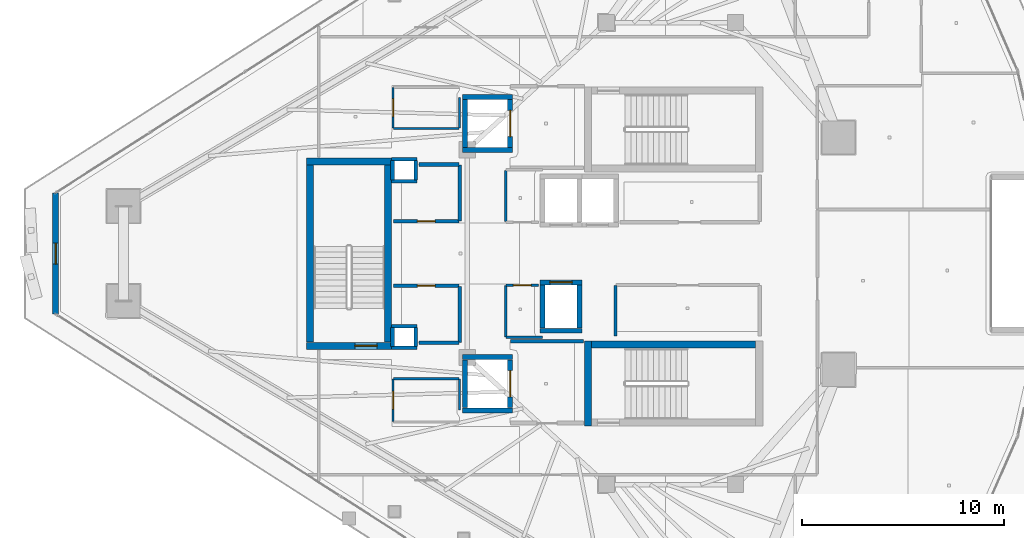
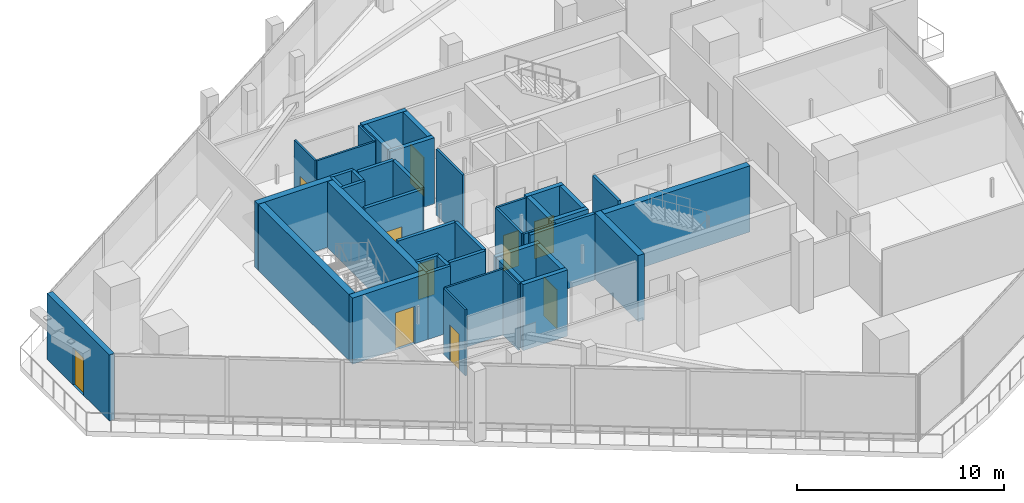
# One storey, part 25 of 34: 45 walls, 10 doors, 10 openings.
"""IFC4 building model written with IfcOpenShell, lengths in metres."""

from ifc_helpers import new_model, si_unit, direction, frame, frame_2d, origin, place, context, subcontext, project, spatial, rectangle, extrude, material, layer, layer_set, type_object, element, fill, save


model = new_model("IFC4")

# Units and contexts
model_context = context("Model", 3, precision=1e-05, world=origin(), true_north=direction((0.0, 1.0)))
body_context = subcontext(model_context, "Body", "Model", "MODEL_VIEW")
ifc_project = project(units=[si_unit("LENGTHUNIT", "METRE"), si_unit("AREAUNIT", "SQUARE_METRE"), si_unit("VOLUMEUNIT", "CUBIC_METRE"), si_unit("PLANEANGLEUNIT", "RADIAN"), si_unit("MASSUNIT", "GRAM", prefix="KILO")], contexts=[model_context])

# Site, building, storey
site_placement = place(None, origin())
site = spatial("IfcSite", under=ifc_project, at=site_placement, CompositionType="ELEMENT")
building_placement = place(site_placement, origin())
building = spatial("IfcBuilding", under=site, at=building_placement, Name="Qorvath Tower", CompositionType="ELEMENT")
storey_placement = place(building_placement, frame((0.0, 0.0, 276.60009765625)))
storey = spatial("IfcBuildingStorey", under=building, at=storey_placement, Name="L64", CompositionType="ELEMENT", Elevation=276.60009765625)

# Walls
ifc_material_1 = material(Name="Gypsum shaftliner on steel studs", Category="steel")
ifc_layer_1 = layer(ifc_material_1, 0.179931640625)
ifc_layer_set_1 = layer_set([ifc_layer_1], Name="FW-LOBBY")
wall_type_1 = type_object("IfcWallType", Name="FW-LOBBY", PredefinedType="PARTITIONING", material=ifc_layer_set_1)
for number, where, z_axis, x_axis, name in (
    (1, (-32.989990234375, 3.594970703125, 0.0), (0.0, 0.0, 1.0), (-1.0, 0.0, 0.0), "MEP Riser Shaft Enclosure Wall N-L64-S"),
    (2, (-34.260009765625, 4.675048828125, 0.0), (0.0, 0.0, 1.0), (1.0, 0.0, 0.0), "MEP Riser Shaft Enclosure Wall N-L64-N"),
):
    element("IfcWall", number, at=place(storey_placement, frame(where, z_axis=z_axis, x_axis=x_axis)), inside=storey, type_object=wall_type_1, Name=name, PredefinedType="PARTITIONING", context=body_context, shape_type="SweptSolid", body=[
        extrude(rectangle(XDim=1.27001953125, YDim=0.179931640625, at=frame_2d((0.635009765625, 0.0))), origin(), (0.0, 0.0, 1.0), 3.909912109375),
    ])
for number, where, z_axis, x_axis, name in (
    (3, (-34.205078125, 3.659912109375, 0.0), (0.0, 0.0, 1.0), (0.0, 1.0, 0.0), "MEP Riser Shaft Enclosure Wall N-L64-W"),
    (4, (-33.044921875, 4.610107421875, 0.0), (0.0, 0.0, 1.0), (0.0, -1.0, 0.0), "MEP Riser Shaft Enclosure Wall N-L64-E"),
):
    element("IfcWall", number, at=place(storey_placement, frame(where, z_axis=z_axis, x_axis=x_axis)), inside=storey, type_object=wall_type_1, Name=name, PredefinedType="PARTITIONING", context=body_context, shape_type="SweptSolid", body=[
        extrude(rectangle(XDim=0.9501953125, YDim=0.179931640625, at=frame_2d((0.47509765625, 0.0))), origin(), (0.0, 0.0, 1.0), 3.909912109375),
    ])
for number, where, z_axis, x_axis, name in (
    (5, (-32.989990234375, -4.675048828125, 0.0), (0.0, 0.0, 1.0), (-1.0, 0.0, 0.0), "MEP Riser Shaft Enclosure Wall S-L64-S"),
    (6, (-34.260009765625, -3.594970703125, 0.0), (0.0, 0.0, 1.0), (1.0, 0.0, 0.0), "MEP Riser Shaft Enclosure Wall S-L64-N"),
):
    element("IfcWall", number, at=place(storey_placement, frame(where, z_axis=z_axis, x_axis=x_axis)), inside=storey, type_object=wall_type_1, Name=name, PredefinedType="PARTITIONING", context=body_context, shape_type="SweptSolid", body=[
        extrude(rectangle(XDim=1.27001953125, YDim=0.179931640625, at=frame_2d((0.635009765625, 0.0))), origin(), (0.0, 0.0, 1.0), 3.909912109375),
    ])
for number, where, z_axis, x_axis, name in (
    (7, (-34.205078125, -4.610107421875, 0.0), (0.0, 0.0, 1.0), (0.0, 1.0, 0.0), "MEP Riser Shaft Enclosure Wall S-L64-W"),
    (8, (-33.044921875, -3.659912109375, 0.0), (0.0, 0.0, 1.0), (0.0, -1.0, 0.0), "MEP Riser Shaft Enclosure Wall S-L64-E"),
):
    element("IfcWall", number, at=place(storey_placement, frame(where, z_axis=z_axis, x_axis=x_axis)), inside=storey, type_object=wall_type_1, Name=name, PredefinedType="PARTITIONING", context=body_context, shape_type="SweptSolid", body=[
        extrude(rectangle(XDim=0.9501953125, YDim=0.179931640625, at=frame_2d((0.47509765625, 0.0))), origin(), (0.0, 0.0, 1.0), 3.909912109375),
    ])
wall_1_placement = place(storey_placement, frame((-24.73291015625, -4.35009765625, 0.0), z_axis=(0.0, 0.0, 1.0), x_axis=(-1.0, 0.0, 0.0)))
element("IfcWall", 9, at=wall_1_placement, inside=storey, type_object=wall_type_1, Name="Interior Partition IW-T1-L64-004", PredefinedType="PARTITIONING", context=body_context, shape_type="SweptSolid", body=[
    extrude(rectangle(XDim=3.6220703125, YDim=0.179931640625, at=frame_2d((1.81103515625, 0.0))), origin(), (0.0, 0.0, 1.0), 3.909912109375),
])

# Wall, opening, door
wall_2_placement = place(storey_placement, frame((-34.15478515625, 1.60009765625, 0.0), z_axis=(0.0, 0.0, 1.0), x_axis=(1.0, 0.0, 0.0)))
wall_2 = element("IfcWall", 10, at=wall_2_placement, inside=storey, type_object=wall_type_1, Name="Interior Partition IW-T1-L64-024", PredefinedType="PARTITIONING", context=body_context, shape_type="SweptSolid", body=[
    extrude(rectangle(XDim=3.25, YDim=0.179931640625, at=frame_2d((1.625, 0.0))), origin(), (0.0, 0.0, 1.0), 3.909912109375),
])
opening_1_placement = place(wall_2_placement, frame((1.18505859375, 0.0, 0.0)))
opening_1 = element("IfcOpeningElement", 11, at=opening_1_placement, cuts=wall_2, Name="Opening D-T1-L64-07", PredefinedType="OPENING", context=body_context, shape_type="SweptSolid", body=[
    extrude(rectangle(XDim=0.8798828125, YDim=2.10009765625, at=frame_2d((0.43994140625, 1.050048828125))), frame((0.0, 0.10009765625, 0.0), z_axis=(0.0, -1.0, 0.0), x_axis=(1.0, 0.0, 0.0)), (0.0, 0.0, 1.0), 0.199951171875),
])
ifc_material_2 = material(Name="Painted galvanised hollow metal", Category="steel")
door_type_1 = type_object("IfcDoorType", Name="FD-60N", OperationType="NOTDEFINED", PredefinedType="DOOR", material=ifc_material_2)
door_1_placement = place(opening_1_placement, origin())
door_1 = element("IfcDoor", 12, at=door_1_placement, inside=storey, type_object=door_type_1, Name="Core telecom comms room L64 Door D-T1-L64-07", OperationType="SINGLE_SWING_LEFT", OverallHeight=2.10009765625, OverallWidth=0.8798828125, PredefinedType="DOOR", context=body_context, shape_type="SweptSolid", body=[
    extrude(rectangle(XDim=0.8798828125, YDim=2.10009765625, at=frame_2d((0.43994140625, 1.050048828125))), frame((0.0, 0.02490234375, 0.0), z_axis=(0.0, -1.0, 0.0), x_axis=(1.0, 0.0, 0.0)), (0.0, 0.0, 1.0), 0.050048828125),
])
fill(opening_1, door_1)

# Walls
wall_3_placement = place(storey_placement, frame((-30.8798828125, 1.625, 0.0), z_axis=(0.0, 0.0, 1.0), x_axis=(0.0, 1.0, 0.0)))
element("IfcWall", 13, at=wall_3_placement, inside=storey, type_object=wall_type_1, Name="Interior Partition IW-T1-L64-025", PredefinedType="PARTITIONING", context=body_context, shape_type="SweptSolid", body=[
    extrude(rectangle(XDim=2.77001953125, YDim=0.179931640625, at=frame_2d((1.385009765625, 0.0))), origin(), (0.0, 0.0, 1.0), 3.909912109375),
])
for number, where, z_axis, x_axis, name in (
    (14, (-30.90478515625, 4.419921875, 0.0), (0.0, 0.0, 1.0), (-1.0, 0.0, 0.0), "Interior Partition IW-T1-L64-026"),
    (15, (-32.8798828125, -4.419921875, 0.0), (0.0, 0.0, 1.0), (1.0, 0.0, 0.0), "Interior Partition IW-T1-L64-027"),
):
    element("IfcWall", number, at=place(storey_placement, frame(where, z_axis=z_axis, x_axis=x_axis)), inside=storey, type_object=wall_type_1, Name=name, PredefinedType="PARTITIONING", context=body_context, shape_type="SweptSolid", body=[
        extrude(rectangle(XDim=1.97509765625, YDim=0.179931640625, at=frame_2d((0.987548828125, 0.0))), origin(), (0.0, 0.0, 1.0), 3.909912109375),
    ])
wall_4_placement = place(storey_placement, frame((-30.8798828125, -4.39501953125, 0.0), z_axis=(0.0, 0.0, 1.0), x_axis=(0.0, 1.0, 0.0)))
element("IfcWall", 16, at=wall_4_placement, inside=storey, type_object=wall_type_1, Name="Interior Partition IW-T1-L64-028", PredefinedType="PARTITIONING", context=body_context, shape_type="SweptSolid", body=[
    extrude(rectangle(XDim=2.77001953125, YDim=0.179931640625, at=frame_2d((1.385009765625, 0.0))), origin(), (0.0, 0.0, 1.0), 3.909912109375),
])

# Wall, opening, door
wall_5_placement = place(storey_placement, frame((-30.90478515625, -1.60009765625, 0.0), z_axis=(0.0, 0.0, 1.0), x_axis=(-1.0, 0.0, 0.0)))
wall_5 = element("IfcWall", 17, at=wall_5_placement, inside=storey, type_object=wall_type_1, Name="Interior Partition IW-T1-L64-029", PredefinedType="PARTITIONING", context=body_context, shape_type="SweptSolid", body=[
    extrude(rectangle(XDim=3.25, YDim=0.179931640625, at=frame_2d((1.625, 0.0))), origin(), (0.0, 0.0, 1.0), 3.909912109375),
])
opening_2_placement = place(wall_5_placement, frame((1.18505859375, 0.0, 0.0)))
opening_2 = element("IfcOpeningElement", 18, at=opening_2_placement, cuts=wall_5, Name="Opening D-T1-L64-08", PredefinedType="OPENING", context=body_context, shape_type="SweptSolid", body=[
    extrude(rectangle(XDim=0.8798828125, YDim=2.10009765625, at=frame_2d((0.43994140625, 1.050048828125))), frame((0.0, 0.10009765625, 0.0), z_axis=(0.0, -1.0, 0.0), x_axis=(1.0, 0.0, 0.0)), (0.0, 0.0, 1.0), 0.199951171875),
])
door_2_placement = place(opening_2_placement, origin())
door_2 = element("IfcDoor", 19, at=door_2_placement, inside=storey, type_object=door_type_1, Name="Core electrical closet L64 Door D-T1-L64-08", OperationType="SINGLE_SWING_RIGHT", OverallHeight=2.10009765625, OverallWidth=0.8798828125, PredefinedType="DOOR", context=body_context, shape_type="SweptSolid", body=[
    extrude(rectangle(XDim=0.8798828125, YDim=2.10009765625, at=frame_2d((0.43994140625, 1.050048828125))), frame((0.0, 0.02490234375, 0.0), z_axis=(0.0, -1.0, 0.0), x_axis=(1.0, 0.0, 0.0)), (0.0, 0.0, 1.0), 0.050048828125),
])
fill(opening_2, door_2)

# Walls
ifc_material_3 = material(Name="Double acoustic gypsum board on steel studs", Category="steel")
ifc_layer_2 = layer(ifc_material_3, 0.159912109375)
ifc_layer_set_2 = layer_set([ifc_layer_2], Name="IW-ACOUSTIC-160")
wall_type_2 = type_object("IfcWallType", Name="IW-ACOUSTIC-160", PredefinedType="PARTITIONING", material=ifc_layer_set_2)
wall_6_placement = place(storey_placement, frame((-23.14990234375, -1.585205078125, 0.0), z_axis=(0.0, 0.0, 1.0), x_axis=(0.0, -1.0, 0.0)))
element("IfcWall", 20, at=wall_6_placement, inside=storey, type_object=wall_type_2, Name="Interior Partition IW-T1-L64-015", PredefinedType="PARTITIONING", context=body_context, shape_type="SweptSolid", body=[
    extrude(rectangle(XDim=2.489990234375, YDim=0.159912109375, at=frame_2d((1.2451171875, 0.0))), origin(), (0.0, 0.0, 1.0), 3.909912109375),
])
ifc_material_4 = material(Name="Gypsum board on metal studs with mineral wool", Category="gypsum")
ifc_layer_3 = layer(ifc_material_4, 0.125)
ifc_layer_set_3 = layer_set([ifc_layer_3], Name="IW-PART-125")
wall_type_3 = type_object("IfcWallType", Name="IW-PART-125", PredefinedType="PARTITIONING", material=ifc_layer_set_3)
for number, where, z_axis, x_axis, name in (
    (21, (-28.60009765625, 4.125, 0.0), (0.0, 0.0, 1.0), (0.0, -1.0, 0.0), "Interior Partition IW-T1-L64-018"),
    (22, (-28.60009765625, -1.585205078125, 0.0), (0.0, 0.0, 1.0), (0.0, -1.0, 0.0), "Interior Partition IW-T1-L64-021"),
):
    element("IfcWall", number, at=place(storey_placement, frame(where, z_axis=z_axis, x_axis=x_axis)), inside=storey, type_object=wall_type_3, Name=name, PredefinedType="PARTITIONING", context=body_context, shape_type="SweptSolid", body=[
        extrude(rectangle(XDim=2.539794921875, YDim=0.125, at=frame_2d((1.27001953125, 0.0))), origin(), (0.0, 0.0, 1.0), 3.909912109375),
    ])
wall_7_placement = place(storey_placement, frame((-28.5751953125, -4.14990234375, 0.0), z_axis=(0.0, 0.0, 1.0), x_axis=(1.0, 0.0, 0.0)))
element("IfcWall", 23, at=wall_7_placement, inside=storey, type_object=wall_type_3, Name="Interior Partition IW-T1-L64-022", PredefinedType="PARTITIONING", context=body_context, shape_type="SweptSolid", body=[
    extrude(rectangle(XDim=1.80029296875, YDim=0.125, at=frame_2d((0.900146484375, 0.0))), origin(), (0.0, 0.0, 1.0), 3.909912109375),
])

# Wall, opening, door
wall_8_placement = place(storey_placement, frame((-26.966064453125, -1.56005859375, 0.0), z_axis=(0.0, 0.0, 1.0), x_axis=(-1.0, 0.0, 0.0)))
wall_8 = element("IfcWall", 24, at=wall_8_placement, inside=storey, type_object=wall_type_3, Name="Interior Partition IW-T1-L64-023", PredefinedType="PARTITIONING", context=body_context, shape_type="SweptSolid", body=[
    extrude(rectangle(XDim=1.609130859375, YDim=0.125, at=frame_2d((0.8046875, 0.0))), origin(), (0.0, 0.0, 1.0), 3.909912109375),
])
opening_3_placement = place(wall_8_placement, frame((0.364501953125, 0.0, 0.0)))
opening_3 = element("IfcOpeningElement", 25, at=opening_3_placement, cuts=wall_8, Name="Opening D-T1-L64-06", PredefinedType="OPENING", context=body_context, shape_type="SweptSolid", body=[
    extrude(rectangle(XDim=0.8798828125, YDim=2.10009765625, at=frame_2d((0.43994140625, 1.050048828125))), frame((0.0, 0.072509765625, 0.0), z_axis=(0.0, -1.0, 0.0), x_axis=(1.0, 0.0, 0.0)), (0.0, 0.0, 1.0), 0.14501953125),
])
ifc_material_5 = material(Name="Solid-core oak with acoustic drop seal", Category="wood")
door_type_2 = type_object("IfcDoorType", Name="D-02", OperationType="NOTDEFINED", PredefinedType="DOOR", material=ifc_material_5)
door_3_placement = place(opening_3_placement, origin())
door_3 = element("IfcDoor", 26, at=door_3_placement, inside=storey, type_object=door_type_2, Name="L64-RCWS Executive Archive Suite Door D-T1-L64-06", OperationType="SINGLE_SWING_RIGHT", OverallHeight=2.10009765625, OverallWidth=0.8798828125, PredefinedType="DOOR", context=body_context, shape_type="SweptSolid", body=[
    extrude(rectangle(XDim=0.8798828125, YDim=2.10009765625, at=frame_2d((0.43994140625, 1.050048828125))), frame((0.0, 0.02490234375, 0.0), z_axis=(0.0, -1.0, 0.0), x_axis=(1.0, 0.0, 0.0)), (0.0, 0.0, 1.0), 0.050048828125),
])
fill(opening_3, door_3)

ifc_material_6 = material(Name="Moisture-resistant cement board on metal studs", Category="gypsum")
ifc_layer_4 = layer(ifc_material_6, 0.110107421875)
ifc_layer_set_4 = layer_set([ifc_layer_4], Name="IW-WC-110")
wall_type_4 = type_object("IfcWallType", Name="IW-WC-110", PredefinedType="PARTITIONING", material=ifc_layer_set_4)
wall_9_placement = place(storey_placement, frame((-34.179931640625, 8.22509765625, 0.0), z_axis=(0.0, 0.0, 1.0), x_axis=(0.0, -1.0, 0.0)))
wall_9 = element("IfcWall", 27, at=wall_9_placement, inside=storey, type_object=wall_type_4, Name="Interior Partition IW-T1-L64-005", PredefinedType="PARTITIONING", context=body_context, shape_type="SweptSolid", body=[
    extrude(rectangle(XDim=2.0, YDim=0.110107421875, at=frame_2d((1.0, 0.0))), origin(), (0.0, 0.0, 1.0), 3.909912109375),
])
opening_4_placement = place(wall_9_placement, frame((0.56005859375, 0.0, 0.0)))
opening_4 = element("IfcOpeningElement", 28, at=opening_4_placement, cuts=wall_9, Name="Opening D-T1-L64-01", PredefinedType="OPENING", context=body_context, shape_type="SweptSolid", body=[
    extrude(rectangle(XDim=0.8798828125, YDim=2.10009765625, at=frame_2d((0.43994140625, 1.050048828125))), frame((0.0, 0.06494140625, 0.0), z_axis=(0.0, -1.0, 0.0), x_axis=(1.0, 0.0, 0.0)), (0.0, 0.0, 1.0), 0.130126953125),
])
door_4_placement = place(opening_4_placement, origin())
door_4 = element("IfcDoor", 29, at=door_4_placement, inside=storey, type_object=door_type_2, Name="WC All-Gender North L64 Door D-T1-L64-01", OperationType="SINGLE_SWING_LEFT", OverallHeight=2.10009765625, OverallWidth=0.8798828125, PredefinedType="DOOR", context=body_context, shape_type="SweptSolid", body=[
    extrude(rectangle(XDim=0.8798828125, YDim=2.10009765625, at=frame_2d((0.43994140625, 1.050048828125))), frame((0.0, 0.02490234375, 0.0), z_axis=(0.0, -1.0, 0.0), x_axis=(1.0, 0.0, 0.0)), (0.0, 0.0, 1.0), 0.050048828125),
])
fill(opening_4, door_4)

# Walls
wall_10_placement = place(storey_placement, frame((-34.15478515625, 6.199951171875, 0.0), z_axis=(0.0, 0.0, 1.0), x_axis=(1.0, 0.0, 0.0)))
element("IfcWall", 30, at=wall_10_placement, inside=storey, type_object=wall_type_4, Name="Interior Partition IW-T1-L64-006", PredefinedType="PARTITIONING", context=body_context, shape_type="SweptSolid", body=[
    extrude(rectangle(XDim=3.25, YDim=0.110107421875, at=frame_2d((1.625, 0.0))), origin(), (0.0, 0.0, 1.0), 3.909912109375),
])
wall_11_placement = place(storey_placement, frame((-30.8798828125, 6.22509765625, 0.0), z_axis=(0.0, 0.0, 1.0), x_axis=(0.0, 1.0, 0.0)))
element("IfcWall", 31, at=wall_11_placement, inside=storey, type_object=wall_type_4, Name="Interior Partition IW-T1-L64-007", PredefinedType="PARTITIONING", context=body_context, shape_type="SweptSolid", body=[
    extrude(rectangle(XDim=1.517822265625, YDim=0.110107421875, at=frame_2d((0.7587890625, 0.0))), origin(), (0.0, 0.0, 1.0), 3.909912109375),
])

# Wall, opening, door
wall_12_placement = place(storey_placement, frame((-34.179931640625, -6.22509765625, 0.0), z_axis=(0.0, 0.0, 1.0), x_axis=(0.0, -1.0, 0.0)))
wall_12 = element("IfcWall", 32, at=wall_12_placement, inside=storey, type_object=wall_type_4, Name="Interior Partition IW-T1-L64-009", PredefinedType="PARTITIONING", context=body_context, shape_type="SweptSolid", body=[
    extrude(rectangle(XDim=2.10009765625, YDim=0.110107421875, at=frame_2d((1.050048828125, 0.0))), origin(), (0.0, 0.0, 1.0), 3.909912109375),
])
opening_5_placement = place(wall_12_placement, frame((0.610107421875, 0.0, 0.0)))
opening_5 = element("IfcOpeningElement", 33, at=opening_5_placement, cuts=wall_12, Name="Opening D-T1-L64-02", PredefinedType="OPENING", context=body_context, shape_type="SweptSolid", body=[
    extrude(rectangle(XDim=0.8798828125, YDim=2.10009765625, at=frame_2d((0.43994140625, 1.050048828125))), frame((0.0, 0.06494140625, 0.0), z_axis=(0.0, -1.0, 0.0), x_axis=(1.0, 0.0, 0.0)), (0.0, 0.0, 1.0), 0.130126953125),
])
door_5_placement = place(opening_5_placement, origin())
door_5 = element("IfcDoor", 34, at=door_5_placement, inside=storey, type_object=door_type_2, Name="Accessible WC South L64 Door D-T1-L64-02", OperationType="SINGLE_SWING_RIGHT", OverallHeight=2.10009765625, OverallWidth=0.8798828125, PredefinedType="DOOR", context=body_context, shape_type="SweptSolid", body=[
    extrude(rectangle(XDim=0.8798828125, YDim=2.10009765625, at=frame_2d((0.43994140625, 1.050048828125))), frame((0.0, 0.02490234375, 0.0), z_axis=(0.0, -1.0, 0.0), x_axis=(1.0, 0.0, 0.0)), (0.0, 0.0, 1.0), 0.050048828125),
])
fill(opening_5, door_5)

# Walls
wall_13_placement = place(storey_placement, frame((-30.8798828125, -7.742919921875, 0.0), z_axis=(0.0, 0.0, 1.0), x_axis=(0.0, 1.0, 0.0)))
element("IfcWall", 35, at=wall_13_placement, inside=storey, type_object=wall_type_4, Name="Interior Partition IW-T1-L64-011", PredefinedType="PARTITIONING", context=body_context, shape_type="SweptSolid", body=[
    extrude(rectangle(XDim=1.517822265625, YDim=0.110107421875, at=frame_2d((0.7587890625, 0.0))), origin(), (0.0, 0.0, 1.0), 3.909912109375),
])
wall_14_placement = place(storey_placement, frame((-30.90478515625, -6.199951171875, 0.0), z_axis=(0.0, 0.0, 1.0), x_axis=(-1.0, 0.0, 0.0)))
element("IfcWall", 36, at=wall_14_placement, inside=storey, type_object=wall_type_4, Name="Interior Partition IW-T1-L64-012", PredefinedType="PARTITIONING", context=body_context, shape_type="SweptSolid", body=[
    extrude(rectangle(XDim=3.25, YDim=0.110107421875, at=frame_2d((1.625, 0.0))), origin(), (0.0, 0.0, 1.0), 3.909912109375),
])
ifc_material_7 = material(Name="Concrete C60/75", Category="concrete")
ifc_layer_5 = layer(ifc_material_7, 0.260009765625)
ifc_layer_set_5 = layer_set([ifc_layer_5], Name="SW-SHAFT")
wall_type_5 = type_object("IfcWallType", Name="SW-SHAFT", PredefinedType="SHEAR", material=ifc_layer_set_5)
for number, where, z_axis, x_axis, name in (
    (37, (-28.260009765625, 5.1298828125, 0.0), (0.0, 0.0, 1.0), (-1.0, 0.0, 0.0), "Hoistway Wall FSAE-1 L64 S"),
    (38, (-30.739990234375, 7.77001953125, 0.0), (0.0, 0.0, 1.0), (1.0, 0.0, 0.0), "Hoistway Wall FSAE-1 L64 N"),
):
    element("IfcWall", number, at=place(storey_placement, frame(where, z_axis=z_axis, x_axis=x_axis)), inside=storey, type_object=wall_type_5, Name=name, PredefinedType="SHEAR", context=body_context, shape_type="SweptSolid", body=[
        extrude(rectangle(XDim=2.47998046875, YDim=0.239990234375, at=frame_2d((1.239990234375, 0.0))), origin(), (0.0, 0.0, 1.0), 3.909912109375),
    ])
wall_15_placement = place(storey_placement, frame((-30.6201171875, 5.261962890625, 0.0), z_axis=(0.0, 0.0, 1.0), x_axis=(0.0, 1.0, 0.0)))
element("IfcWall", 39, at=wall_15_placement, inside=storey, type_object=wall_type_5, Name="Hoistway Wall FSAE-1 L64 W", PredefinedType="SHEAR", context=body_context, shape_type="SweptSolid", body=[
    extrude(rectangle(XDim=2.3759765625, YDim=0.239990234375, at=frame_2d((1.18798828125, 0.0))), origin(), (0.0, 0.0, 1.0), 3.909912109375),
])

# Wall, opening, door
wall_16_placement = place(storey_placement, frame((-28.3798828125, 7.637939453125, 0.0), z_axis=(0.0, 0.0, 1.0), x_axis=(0.0, -1.0, 0.0)))
wall_16 = element("IfcWall", 40, at=wall_16_placement, inside=storey, type_object=wall_type_5, Name="Hoistway Wall FSAE-1 L64 E", PredefinedType="SHEAR", context=body_context, shape_type="SweptSolid", body=[
    extrude(rectangle(XDim=2.3759765625, YDim=0.239990234375, at=frame_2d((1.18798828125, 0.0))), origin(), (0.0, 0.0, 1.0), 3.909912109375),
])
opening_6_placement = place(wall_16_placement, frame((0.537841796875, 0.0, 0.0)))
opening_6 = element("IfcOpeningElement", 41, at=opening_6_placement, cuts=wall_16, Name="Opening LD-FSAE-1-L64", PredefinedType="OPENING", context=body_context, shape_type="SweptSolid", body=[
    extrude(rectangle(XDim=1.300048828125, YDim=2.300048828125, at=frame_2d((0.64990234375, 1.14990234375))), frame((0.0, 0.1298828125, 0.0), z_axis=(0.0, -1.0, 0.0), x_axis=(1.0, 0.0, 0.0)), (0.0, 0.0, 1.0), 0.260009765625),
])
ifc_material_8 = material(Name="Brushed stainless steel AISI 316", Category="steel")
door_type_3 = type_object("IfcDoorType", Name="LD-02", OperationType="NOTDEFINED", PredefinedType="DOOR", material=ifc_material_8)
door_6_placement = place(opening_6_placement, origin())
door_6 = element("IfcDoor", 42, at=door_6_placement, inside=storey, type_object=door_type_3, Name="Elevator Landing Sliding Door LD-FSAE-1-L64", OperationType="DOUBLE_DOOR_SLIDING", OverallHeight=2.300048828125, OverallWidth=1.300048828125, PredefinedType="DOOR", context=body_context, shape_type="SweptSolid", body=[
    extrude(rectangle(XDim=1.300048828125, YDim=2.300048828125, at=frame_2d((0.64990234375, 1.14990234375))), frame((0.0, 0.02490234375, 0.0), z_axis=(0.0, -1.0, 0.0), x_axis=(1.0, 0.0, 0.0)), (0.0, 0.0, 1.0), 0.050048828125),
])
fill(opening_6, door_6)

# Walls
for number, where, z_axis, x_axis, name in (
    (43, (-28.260009765625, -7.77001953125, 0.0), (0.0, 0.0, 1.0), (-1.0, 0.0, 0.0), "Hoistway Wall FSAE-2 L64 S"),
    (44, (-30.739990234375, -5.1298828125, 0.0), (0.0, 0.0, 1.0), (1.0, 0.0, 0.0), "Hoistway Wall FSAE-2 L64 N"),
):
    element("IfcWall", number, at=place(storey_placement, frame(where, z_axis=z_axis, x_axis=x_axis)), inside=storey, type_object=wall_type_5, Name=name, PredefinedType="SHEAR", context=body_context, shape_type="SweptSolid", body=[
        extrude(rectangle(XDim=2.47998046875, YDim=0.239990234375, at=frame_2d((1.239990234375, 0.0))), origin(), (0.0, 0.0, 1.0), 3.909912109375),
    ])
wall_17_placement = place(storey_placement, frame((-30.6201171875, -7.637939453125, 0.0), z_axis=(0.0, 0.0, 1.0), x_axis=(0.0, 1.0, 0.0)))
element("IfcWall", 45, at=wall_17_placement, inside=storey, type_object=wall_type_5, Name="Hoistway Wall FSAE-2 L64 W", PredefinedType="SHEAR", context=body_context, shape_type="SweptSolid", body=[
    extrude(rectangle(XDim=2.3759765625, YDim=0.239990234375, at=frame_2d((1.18798828125, 0.0))), origin(), (0.0, 0.0, 1.0), 3.909912109375),
])

# Wall, opening, door
wall_18_placement = place(storey_placement, frame((-28.3798828125, -5.261962890625, 0.0), z_axis=(0.0, 0.0, 1.0), x_axis=(0.0, -1.0, 0.0)))
wall_18 = element("IfcWall", 46, at=wall_18_placement, inside=storey, type_object=wall_type_5, Name="Hoistway Wall FSAE-2 L64 E", PredefinedType="SHEAR", context=body_context, shape_type="SweptSolid", body=[
    extrude(rectangle(XDim=2.3759765625, YDim=0.239990234375, at=frame_2d((1.18798828125, 0.0))), origin(), (0.0, 0.0, 1.0), 3.909912109375),
])
opening_7_placement = place(wall_18_placement, frame((0.5380859375, 0.0, 0.0)))
opening_7 = element("IfcOpeningElement", 47, at=opening_7_placement, cuts=wall_18, Name="Opening LD-FSAE-2-L64", PredefinedType="OPENING", context=body_context, shape_type="SweptSolid", body=[
    extrude(rectangle(XDim=1.300048828125, YDim=2.300048828125, at=frame_2d((0.64990234375, 1.14990234375))), frame((0.0, 0.1298828125, 0.0), z_axis=(0.0, -1.0, 0.0), x_axis=(1.0, 0.0, 0.0)), (0.0, 0.0, 1.0), 0.260009765625),
])
door_7_placement = place(opening_7_placement, origin())
door_7 = element("IfcDoor", 48, at=door_7_placement, inside=storey, type_object=door_type_3, Name="Elevator Landing Sliding Door LD-FSAE-2-L64", OperationType="DOUBLE_DOOR_SLIDING", OverallHeight=2.300048828125, OverallWidth=1.300048828125, PredefinedType="DOOR", context=body_context, shape_type="SweptSolid", body=[
    extrude(rectangle(XDim=1.300048828125, YDim=2.300048828125, at=frame_2d((0.64990234375, 1.14990234375))), frame((0.0, 0.02490234375, 0.0), z_axis=(0.0, -1.0, 0.0), x_axis=(1.0, 0.0, 0.0)), (0.0, 0.0, 1.0), 0.050048828125),
])
fill(opening_7, door_7)

# Wall
wall_19_placement = place(storey_placement, frame((-24.81005859375, -3.820068359375, 0.0), z_axis=(0.0, 0.0, 1.0), x_axis=(-1.0, 0.0, 0.0)))
element("IfcWall", 49, at=wall_19_placement, inside=storey, type_object=wall_type_5, Name="Hoistway Wall PH-3 L64 S", PredefinedType="SHEAR", context=body_context, shape_type="SweptSolid", body=[
    extrude(rectangle(XDim=2.079833984375, YDim=0.239990234375, at=frame_2d((1.0400390625, 0.0))), origin(), (0.0, 0.0, 1.0), 3.909912109375),
])

# Wall, opening, door
wall_20_placement = place(storey_placement, frame((-26.889892578125, -1.429931640625, 0.0), z_axis=(0.0, 0.0, 1.0), x_axis=(1.0, 0.0, 0.0)))
wall_20 = element("IfcWall", 50, at=wall_20_placement, inside=storey, type_object=wall_type_5, Name="Hoistway Wall PH-3 L64 N", PredefinedType="SHEAR", context=body_context, shape_type="SweptSolid", body=[
    extrude(rectangle(XDim=2.079833984375, YDim=0.239990234375, at=frame_2d((1.0400390625, 0.0))), origin(), (0.0, 0.0, 1.0), 3.909912109375),
])
opening_8_placement = place(wall_20_placement, frame((0.48974609375, 0.0, 0.0)))
opening_8 = element("IfcOpeningElement", 51, at=opening_8_placement, cuts=wall_20, Name="Opening LD-PH-3-L64", PredefinedType="OPENING", context=body_context, shape_type="SweptSolid", body=[
    extrude(rectangle(XDim=1.10009765625, YDim=2.199951171875, at=frame_2d((0.550048828125, 1.10009765625))), frame((0.0, 0.1298828125, 0.0), z_axis=(0.0, -1.0, 0.0), x_axis=(1.0, 0.0, 0.0)), (0.0, 0.0, 1.0), 0.260009765625),
])
ifc_material_9 = material(Name="Brushed stainless steel AISI 316", Category="steel")
door_type_4 = type_object("IfcDoorType", Name="LD-01", OperationType="NOTDEFINED", PredefinedType="DOOR", material=ifc_material_9)
door_8_placement = place(opening_8_placement, origin())
door_8 = element("IfcDoor", 52, at=door_8_placement, inside=storey, type_object=door_type_4, Name="Elevator Landing Sliding Door LD-PH-3-L64", OperationType="DOUBLE_DOOR_SLIDING", OverallHeight=2.199951171875, OverallWidth=1.10009765625, PredefinedType="DOOR", context=body_context, shape_type="SweptSolid", body=[
    extrude(rectangle(XDim=1.10009765625, YDim=2.199951171875, at=frame_2d((0.550048828125, 1.10009765625))), frame((0.0, 0.02490234375, 0.0), z_axis=(0.0, -1.0, 0.0), x_axis=(1.0, 0.0, 0.0)), (0.0, 0.0, 1.0), 0.050048828125),
])
fill(opening_8, door_8)

# Walls
for number, where, z_axis, x_axis, name in (
    (53, (-26.77001953125, -3.68798828125, 0.0), (0.0, 0.0, 1.0), (0.0, 1.0, 0.0), "Hoistway Wall PH-3 L64 W"),
    (54, (-24.929931640625, -1.56201171875, 0.0), (0.0, 0.0, 1.0), (0.0, -1.0, 0.0), "Hoistway Wall PH-3 L64 E"),
):
    element("IfcWall", number, at=place(storey_placement, frame(where, z_axis=z_axis, x_axis=x_axis)), inside=storey, type_object=wall_type_5, Name=name, PredefinedType="SHEAR", context=body_context, shape_type="SweptSolid", body=[
        extrude(rectangle(XDim=2.1259765625, YDim=0.239990234375, at=frame_2d((1.06298828125, 0.0))), origin(), (0.0, 0.0, 1.0), 3.909912109375),
    ])
ifc_material_10 = material(Name="Concrete C60/75", Category="concrete")
ifc_layer_6 = layer(ifc_material_10, 0.35009765625)
ifc_layer_set_6 = layer_set([ifc_layer_6], Name="SW-STAIR")
wall_type_6 = type_object("IfcWallType", Name="SW-STAIR", PredefinedType="SHEAR", material=ifc_layer_set_6)
wall_21_placement = place(storey_placement, frame((-24.52490234375, -4.340087890625, 0.0), z_axis=(0.0, 0.0, 1.0), x_axis=(0.0, -1.0, 0.0)))
element("IfcWall", 55, at=wall_21_placement, inside=storey, type_object=wall_type_6, Name="Stair TS2 Shear Wall L64 NEAR", PredefinedType="SHEAR", context=body_context, shape_type="SweptSolid", body=[
    extrude(rectangle(XDim=4.2099609375, YDim=0.35009765625, at=frame_2d((2.10498046875, 0.0))), origin(), (0.0, 0.0, 1.0), 3.909912109375),
])
wall_22_placement = place(storey_placement, frame((-16.215087890625, -4.514892578125, 0.0), z_axis=(0.0, 0.0, 1.0), x_axis=(-1.0, 0.0, 0.0)))
element("IfcWall", 56, at=wall_22_placement, inside=storey, type_object=wall_type_6, Name="Stair TS2 Shear Wall L64 RIGHT", PredefinedType="SHEAR", context=body_context, shape_type="SweptSolid", body=[
    extrude(rectangle(XDim=8.119873046875, YDim=0.35009765625, at=frame_2d((4.06005859375, 0.0))), origin(), (0.0, 0.0, 1.0), 3.909912109375),
])

# Wall, opening, door
wall_23_placement = place(storey_placement, frame((-38.4599609375, -4.574951171875, 0.0), z_axis=(0.0, 0.0, 1.0), x_axis=(1.0, 0.0, 0.0)))
wall_23 = element("IfcWall", 57, at=wall_23_placement, inside=storey, type_object=wall_type_6, Name="Stair TS3 Shear Wall L64 NEAR", PredefinedType="SHEAR", context=body_context, shape_type="SweptSolid", body=[
    extrude(rectangle(XDim=4.2099609375, YDim=0.35009765625, at=frame_2d((2.10498046875, 0.0))), origin(), (0.0, 0.0, 1.0), 3.909912109375),
])
opening_9_placement = place(wall_23_placement, frame((2.389892578125, 0.0, 0.0)))
opening_9 = element("IfcOpeningElement", 58, at=opening_9_placement, cuts=wall_23, Name="Opening D-TS3-L64", PredefinedType="OPENING", context=body_context, shape_type="SweptSolid", body=[
    extrude(rectangle(XDim=1.10009765625, YDim=2.199951171875, at=frame_2d((0.550048828125, 1.10009765625))), frame((0.0, 0.18505859375, 0.0), z_axis=(0.0, -1.0, 0.0), x_axis=(1.0, 0.0, 0.0)), (0.0, 0.0, 1.0), 0.3701171875),
])
ifc_material_11 = material(Name="Painted galvanised hollow metal", Category="steel")
door_type_5 = type_object("IfcDoorType", Name="FD-90", OperationType="NOTDEFINED", PredefinedType="DOOR", material=ifc_material_11)
door_9_placement = place(opening_9_placement, origin())
door_9 = element("IfcDoor", 59, at=door_9_placement, inside=storey, type_object=door_type_5, Name="Stair TS3 Fire Door L64", OperationType="SINGLE_SWING_LEFT", OverallHeight=2.199951171875, OverallWidth=1.10009765625, PredefinedType="DOOR", context=body_context, shape_type="SweptSolid", body=[
    extrude(rectangle(XDim=1.10009765625, YDim=2.199951171875, at=frame_2d((0.550048828125, 1.10009765625))), frame((0.0, 0.02490234375, 0.0), z_axis=(0.0, -1.0, 0.0), x_axis=(1.0, 0.0, 0.0)), (0.0, 0.0, 1.0), 0.050048828125),
])
fill(opening_9, door_9)

# Walls
wall_24_placement = place(storey_placement, frame((-34.25, 4.574951171875, 0.0), z_axis=(0.0, 0.0, 1.0), x_axis=(-1.0, 0.0, 0.0)))
element("IfcWall", 60, at=wall_24_placement, inside=storey, type_object=wall_type_6, Name="Stair TS3 Shear Wall L64 FAR", PredefinedType="SHEAR", context=body_context, shape_type="SweptSolid", body=[
    extrude(rectangle(XDim=4.2099609375, YDim=0.35009765625, at=frame_2d((2.10498046875, 0.0))), origin(), (0.0, 0.0, 1.0), 3.909912109375),
])
for number, where, z_axis, x_axis, name in (
    (61, (-34.425048828125, -4.385009765625, 0.0), (0.0, 0.0, 1.0), (0.0, 1.0, 0.0), "Stair TS3 Shear Wall L64 LEFT"),
    (62, (-38.284912109375, 4.385009765625, 0.0), (0.0, 0.0, 1.0), (0.0, -1.0, 0.0), "Stair TS3 Shear Wall L64 RIGHT"),
):
    element("IfcWall", number, at=place(storey_placement, frame(where, z_axis=z_axis, x_axis=x_axis)), inside=storey, type_object=wall_type_6, Name=name, PredefinedType="SHEAR", context=body_context, shape_type="SweptSolid", body=[
        extrude(rectangle(XDim=8.77001953125, YDim=0.35009765625, at=frame_2d((4.385009765625, 0.0))), origin(), (0.0, 0.0, 1.0), 3.909912109375),
    ])

# Wall, opening, door
ifc_material_12 = material(Name="Precast concrete C45/55", Category="concrete")
ifc_layer_7 = layer(ifc_material_12, 0.300048828125)
ifc_layer_set_7 = layer_set([ifc_layer_7], Name="WL-EW-LOG-300")
wall_type_7 = type_object("IfcWallType", Name="WL-EW-LOG-300", PredefinedType="SOLIDWALL", material=ifc_layer_set_7)
wall_25_placement = place(storey_placement, frame((-50.90625, -3.005859375, 0.0), z_axis=(0.0, 0.0, 1.0), x_axis=(0.0, 1.0, 0.0)))
wall_25 = element("IfcWall", 63, at=wall_25_placement, inside=storey, type_object=wall_type_7, Name="Tower Precast Loggia Wall L64-1.1", PredefinedType="SOLIDWALL", context=body_context, shape_type="SweptSolid", body=[
    extrude(rectangle(XDim=6.01171875, YDim=0.300048828125, at=frame_2d((3.005859375, 0.0))), origin(), (0.0, 0.0, 1.0), 3.909912109375),
])
opening_10_placement = place(wall_25_placement, frame((2.48095703125, 0.0, 0.0)))
opening_10 = element("IfcOpeningElement", 64, at=opening_10_placement, cuts=wall_25, Name="Opening ED-L64-01", PredefinedType="OPENING", context=body_context, shape_type="SweptSolid", body=[
    extrude(rectangle(XDim=1.050048828125, YDim=2.199951171875, at=frame_2d((0.52490234375, 1.10009765625))), frame((0.0, 0.16015625, 0.0), z_axis=(0.0, -1.0, 0.0), x_axis=(1.0, 0.0, 0.0)), (0.0, 0.0, 1.0), 0.320068359375),
])
ifc_material_13 = material(Name="Thermally broken aluminium glazed door", Category="aluminium")
door_type_6 = type_object("IfcDoorType", Name="ED-LOG", OperationType="NOTDEFINED", PredefinedType="DOOR", material=ifc_material_13)
door_10_placement = place(opening_10_placement, origin())
door_10 = element("IfcDoor", 65, at=door_10_placement, inside=storey, type_object=door_type_6, Name="L64 Recessed Loggia Access Door 1", OperationType="SINGLE_SWING_RIGHT", OverallHeight=2.199951171875, OverallWidth=1.050048828125, PredefinedType="DOOR", context=body_context, shape_type="SweptSolid", body=[
    extrude(rectangle(XDim=1.050048828125, YDim=2.199951171875, at=frame_2d((0.52490234375, 1.10009765625))), frame((0.0, 0.02490234375, 0.0), z_axis=(0.0, -1.0, 0.0), x_axis=(1.0, 0.0, 0.0)), (0.0, 0.0, 1.0), 0.050048828125),
])
fill(opening_10, door_10)

save(model, "model.ifc")
